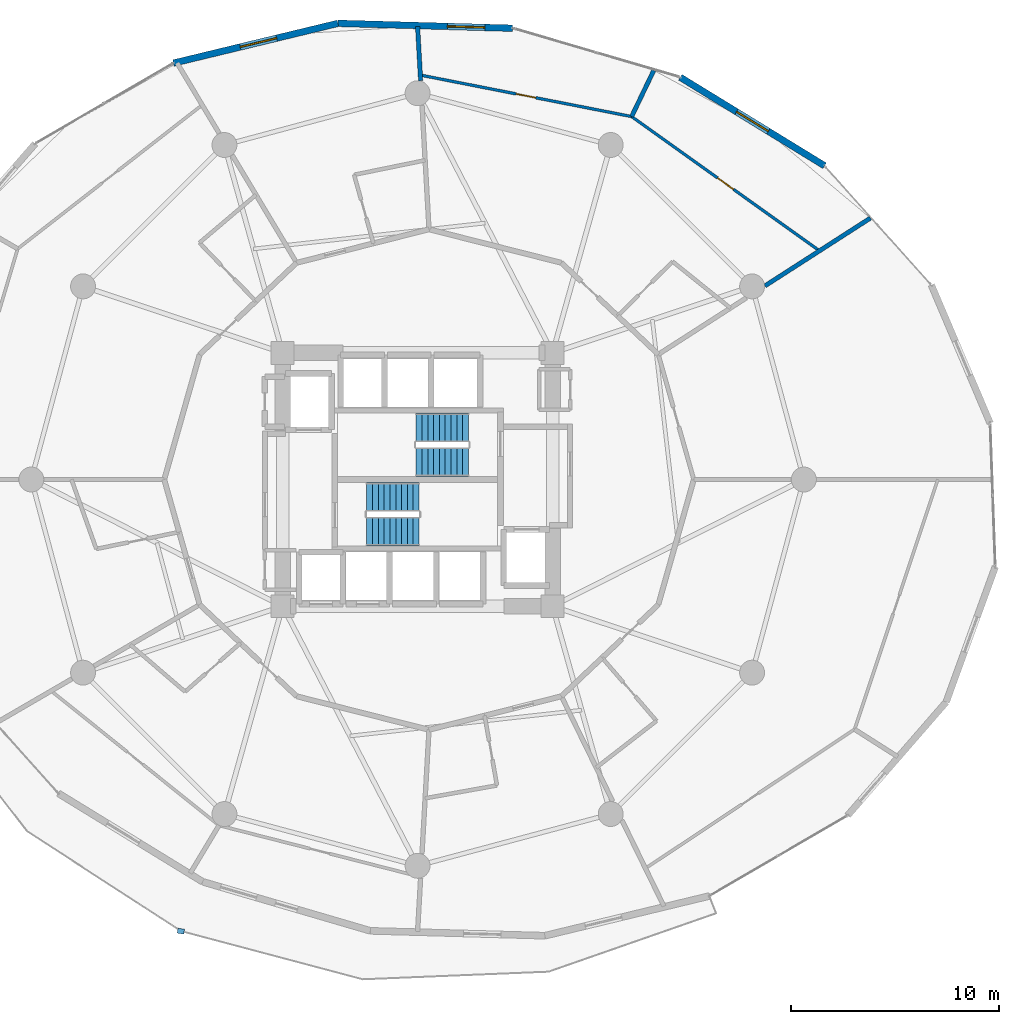
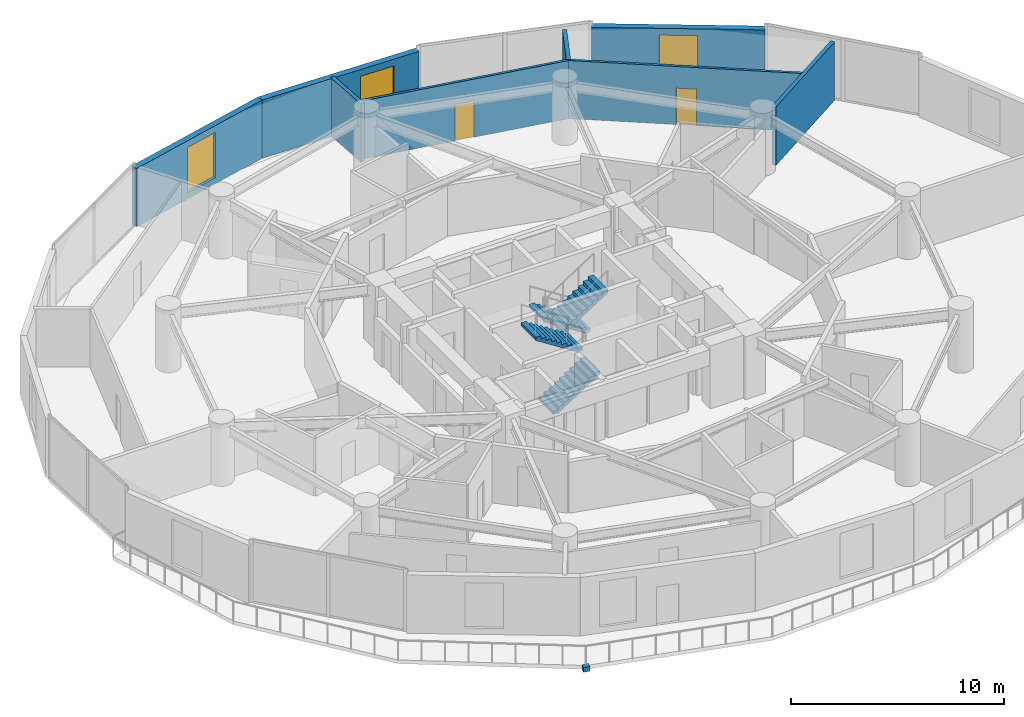
# One storey, part 20 of 23: 8 walls, 4 stair flights, 3 windows, 2 doors, 1 discrete accessory, 5 openings, 2 elements without a shape of their own.
"""IFC4 building model written with IfcOpenShell, lengths in metres."""

from ifc_helpers import new_model, si_unit, direction, frame, frame_2d, origin, origin_2d, place, context, subcontext, project, spatial, polyline, rectangle, outline, extrude, material, layer, layer_set, type_object, element, fill, aggregate, save


model = new_model("IFC4")

# Units and contexts
model_context = context("Model", 3, precision=1e-05, world=origin(), true_north=direction((0.0, 1.0)))
body_context = subcontext(model_context, "Body", "Model", "MODEL_VIEW")
ifc_project = project(units=[si_unit("LENGTHUNIT", "METRE"), si_unit("AREAUNIT", "SQUARE_METRE"), si_unit("VOLUMEUNIT", "CUBIC_METRE"), si_unit("PLANEANGLEUNIT", "RADIAN"), si_unit("MASSUNIT", "GRAM", prefix="KILO")], contexts=[model_context])

# Site, building, storey
site_placement = place(None, origin())
site = spatial("IfcSite", under=ifc_project, at=site_placement, CompositionType="ELEMENT")
building_placement = place(site_placement, origin())
building = spatial("IfcBuilding", under=site, at=building_placement, Name="Solvirekh Grand Hotel", CompositionType="ELEMENT")
storey_placement = place(building_placement, frame((0.0, 0.0, 42.800048828125)))
storey = spatial("IfcBuildingStorey", under=building, at=storey_placement, Name="L09", CompositionType="ELEMENT", Elevation=42.800048828125)

# Wall, opening, window
ifc_material_1 = material(Name="Precast concrete C45/55", Category="concrete")
ifc_layer_1 = layer(ifc_material_1, 0.320068359375)
ifc_layer_set_1 = layer_set([ifc_layer_1], Name="Precast concrete C45/55")
wall_type_1 = type_object("IfcWallType", Name="ExtLobbyWall_RC320", PredefinedType="SOLIDWALL", material=ifc_layer_set_1)
wall_1_placement = place(storey_placement, frame((12.64990234375, 19.367919921875, 0.0), z_axis=(0.0, 0.0, 1.0), x_axis=(0.852610292859, -0.522547307438, 0.0)))
wall_1 = element("IfcWall", 1, at=wall_1_placement, inside=storey, type_object=wall_type_1, Name="L09 exterior structural wall chord 4", PredefinedType="SOLIDWALL", context=body_context, shape_type="SweptSolid", body=[
    extrude(rectangle(XDim=8.150634765625, YDim=0.320068359375, at=frame_2d((4.0751953125, 0.0))), origin(), (0.0, 0.0, 1.0), 3.33984375),
])
opening_1_placement = place(wall_1_placement, frame((3.175048828125, 0.0, 0.35009765625)))
opening_1 = element("IfcOpeningElement", 2, at=opening_1_placement, cuts=wall_1, Name="Opening W02", PredefinedType="OPENING", context=body_context, shape_type="SweptSolid", body=[
    extrude(rectangle(XDim=1.800048828125, YDim=2.60009765625, at=frame_2d((0.89990234375, 1.300048828125))), frame((0.0, 0.169921875, 0.0), z_axis=(0.0, -1.0, 0.0), x_axis=(1.0, 0.0, 0.0)), (0.0, 0.0, 1.0), 0.340087890625),
])
ifc_material_2 = material(Name="Low-E Tinted Bronze Laminated Glass", Category="aluminium")
window_type = type_object("IfcWindowType", Name="Win_LobbyExt_1800X2600", PartitioningType="SINGLE_PANEL", PredefinedType="WINDOW", material=ifc_material_2)
window_1_placement = place(opening_1_placement, origin())
window_1 = element("IfcWindow", 3, at=window_1_placement, inside=storey, type_object=window_type, Name="L09 panoramic bronze-framed window 4", OverallHeight=2.60009765625, OverallWidth=1.800048828125, PartitioningType="SINGLE_PANEL", PredefinedType="WINDOW", context=body_context, shape_type="SweptSolid", body=[
    extrude(rectangle(XDim=1.800048828125, YDim=2.60009765625, at=frame_2d((0.89990234375, 1.300048828125))), frame((0.0, 0.030029296875, 0.0), z_axis=(0.0, -1.0, 0.0), x_axis=(1.0, 0.0, 0.0)), (0.0, 0.0, 1.0), 0.06005859375),
])
fill(opening_1, window_1)

wall_2_placement = place(storey_placement, frame((-3.8330078125, 21.967041015625, 0.0), z_axis=(0.0, 0.0, 1.0), x_axis=(0.999609369541, -0.027948315271, 0.0)))
wall_2 = element("IfcWall", 4, at=wall_2_placement, inside=storey, type_object=wall_type_1, Name="L09 exterior structural wall chord 6", PredefinedType="SOLIDWALL", context=body_context, shape_type="SweptSolid", body=[
    extrude(rectangle(XDim=8.412109375, YDim=0.320068359375, at=frame_2d((4.2060546875, 0.0))), origin(), (0.0, 0.0, 1.0), 3.33984375),
])
opening_2_placement = place(wall_2_placement, frame((5.27392578125, 0.0, 0.35009765625)))
opening_2 = element("IfcOpeningElement", 5, at=opening_2_placement, cuts=wall_2, Name="Opening W02", PredefinedType="OPENING", context=body_context, shape_type="SweptSolid", body=[
    extrude(rectangle(XDim=1.800048828125, YDim=2.60009765625, at=frame_2d((0.89990234375, 1.300048828125))), frame((0.0, 0.169921875, 0.0), z_axis=(0.0, -1.0, 0.0), x_axis=(1.0, 0.0, 0.0)), (0.0, 0.0, 1.0), 0.340087890625),
])
window_2_placement = place(opening_2_placement, origin())
window_2 = element("IfcWindow", 6, at=window_2_placement, inside=storey, type_object=window_type, Name="L09 panoramic bronze-framed window 6", OverallHeight=2.60009765625, OverallWidth=1.800048828125, PartitioningType="SINGLE_PANEL", PredefinedType="WINDOW", context=body_context, shape_type="SweptSolid", body=[
    extrude(rectangle(XDim=1.800048828125, YDim=2.60009765625, at=frame_2d((0.89990234375, 1.300048828125))), frame((0.0, 0.030029296875, 0.0), z_axis=(0.0, -1.0, 0.0), x_axis=(1.0, 0.0, 0.0)), (0.0, 0.0, 1.0), 0.06005859375),
])
fill(opening_2, window_2)

wall_3_placement = place(storey_placement, frame((-11.7548828125, 20.052978515625, 0.0), z_axis=(0.0, 0.0, 1.0), x_axis=(0.97202940664, 0.234859176161, 0.0)))
wall_3 = element("IfcWall", 7, at=wall_3_placement, inside=storey, type_object=wall_type_1, Name="L09 exterior structural wall chord 7", PredefinedType="SOLIDWALL", context=body_context, shape_type="SweptSolid", body=[
    extrude(rectangle(XDim=8.14990234375, YDim=0.320068359375, at=frame_2d((4.074951171875, 0.0))), origin(), (0.0, 0.0, 1.0), 3.33984375),
])
opening_3_placement = place(wall_3_placement, frame((3.31103515625, 0.0, 0.35009765625)))
opening_3 = element("IfcOpeningElement", 8, at=opening_3_placement, cuts=wall_3, Name="Opening W02", PredefinedType="OPENING", context=body_context, shape_type="SweptSolid", body=[
    extrude(rectangle(XDim=1.800048828125, YDim=2.60009765625, at=frame_2d((0.89990234375, 1.300048828125))), frame((0.0, 0.169921875, 0.0), z_axis=(0.0, -1.0, 0.0), x_axis=(1.0, 0.0, 0.0)), (0.0, 0.0, 1.0), 0.340087890625),
])
window_3_placement = place(opening_3_placement, origin())
window_3 = element("IfcWindow", 9, at=window_3_placement, inside=storey, type_object=window_type, Name="L09 panoramic bronze-framed window 7", OverallHeight=2.60009765625, OverallWidth=1.800048828125, PartitioningType="SINGLE_PANEL", PredefinedType="WINDOW", context=body_context, shape_type="SweptSolid", body=[
    extrude(rectangle(XDim=1.800048828125, YDim=2.60009765625, at=frame_2d((0.89990234375, 1.300048828125))), frame((0.0, 0.030029296875, 0.0), z_axis=(0.0, -1.0, 0.0), x_axis=(1.0, 0.0, 0.0)), (0.0, 0.0, 1.0), 0.06005859375),
])
fill(opening_3, window_3)

# Wall, opening, door
ifc_material_3 = material(Name="Acoustic Gypsum Partition Assembly")
ifc_layer_2 = layer(ifc_material_3, 0.135009765625)
ifc_layer_set_2 = layer_set([ifc_layer_2], Name="Acoustic Gypsum Partition Assembly")
wall_type_2 = type_object("IfcWallType", Name="Part_RoomInt_135", PredefinedType="PARTITIONING", material=ifc_layer_set_2)
wall_4_placement = place(storey_placement, frame((19.35400390625, 11.013916015625, 0.0), z_axis=(0.0, 0.0, 1.0), x_axis=(-0.813724569885, 0.581250655367, 0.0)))
wall_4 = element("IfcWall", 10, at=wall_4_placement, inside=storey, type_object=wall_type_2, Name="L09 Executive Suite 1101 Living Room bedroom screen wall", PredefinedType="PARTITIONING", context=body_context, shape_type="SweptSolid", body=[
    extrude(rectangle(XDim=11.119384765625, YDim=0.135009765625, at=frame_2d((5.5595703125, 0.0))), origin(), (0.0, 0.0, 1.0), 3.33984375),
])
opening_4_placement = place(wall_4_placement, frame((5.0849609375, 0.0, 0.0)))
opening_4 = element("IfcOpeningElement", 11, at=opening_4_placement, cuts=wall_4, Name="Opening D10", PredefinedType="OPENING", context=body_context, shape_type="SweptSolid", body=[
    extrude(rectangle(XDim=0.949951171875, YDim=2.10009765625, at=frame_2d((0.47509765625, 1.050048828125))), frame((0.0, 0.07763671875, 0.0), z_axis=(0.0, -1.0, 0.0), x_axis=(1.0, 0.0, 0.0)), (0.0, 0.0, 1.0), 0.155029296875),
])
ifc_material_4 = material(Name="Anodized Bronze Aluminium 6063-T6", Category="aluminium")
door_type = type_object("IfcDoorType", Name="Door_RoomInt_950X2100", OperationType="NOTDEFINED", PredefinedType="DOOR", material=ifc_material_4)
door_1_placement = place(opening_4_placement, origin())
door_1 = element("IfcDoor", 12, at=door_1_placement, inside=storey, type_object=door_type, Name="L09 Executive Suite 1101 Living Room master bedroom door", OperationType="SINGLE_SWING_LEFT", OverallHeight=2.10009765625, OverallWidth=0.949951171875, PredefinedType="DOOR", context=body_context, shape_type="SweptSolid", body=[
    extrude(rectangle(XDim=0.949951171875, YDim=2.10009765625, at=frame_2d((0.47509765625, 1.050048828125))), frame((0.0, 0.02490234375, 0.0), z_axis=(0.0, -1.0, 0.0), x_axis=(1.0, 0.0, 0.0)), (0.0, 0.0, 1.0), 0.050048828125),
])
fill(opening_4, door_1)

wall_5_placement = place(storey_placement, frame((10.305908203125, 17.47705078125, 0.0), z_axis=(0.0, 0.0, 1.0), x_axis=(-0.981255818222, 0.192709675953, 0.0)))
wall_5 = element("IfcWall", 13, at=wall_5_placement, inside=storey, type_object=wall_type_2, Name="L09 Executive Suite 1101 Panorama Suite Study bedroom screen wall", PredefinedType="PARTITIONING", context=body_context, shape_type="SweptSolid", body=[
    extrude(rectangle(XDim=10.3681640625, YDim=0.135009765625, at=frame_2d((5.18408203125, 0.0))), origin(), (0.0, 0.0, 1.0), 3.33984375),
])
opening_5_placement = place(wall_5_placement, frame((4.708984375, 0.0, 0.0)))
opening_5 = element("IfcOpeningElement", 14, at=opening_5_placement, cuts=wall_5, Name="Opening D10", PredefinedType="OPENING", context=body_context, shape_type="SweptSolid", body=[
    extrude(rectangle(XDim=0.949951171875, YDim=2.10009765625, at=frame_2d((0.47509765625, 1.050048828125))), frame((0.0, 0.07763671875, 0.0), z_axis=(0.0, -1.0, 0.0), x_axis=(1.0, 0.0, 0.0)), (0.0, 0.0, 1.0), 0.155029296875),
])
door_2_placement = place(opening_5_placement, origin())
door_2 = element("IfcDoor", 15, at=door_2_placement, inside=storey, type_object=door_type, Name="L09 Executive Suite 1101 Panorama Suite Study master bedroom door", OperationType="SINGLE_SWING_RIGHT", OverallHeight=2.10009765625, OverallWidth=0.949951171875, PredefinedType="DOOR", context=body_context, shape_type="SweptSolid", body=[
    extrude(rectangle(XDim=0.949951171875, YDim=2.10009765625, at=frame_2d((0.47509765625, 1.050048828125))), frame((0.0, 0.02490234375, 0.0), z_axis=(0.0, -1.0, 0.0), x_axis=(1.0, 0.0, 0.0)), (0.0, 0.0, 1.0), 0.050048828125),
])
fill(opening_5, door_2)

# Walls
ifc_layer_3 = layer(ifc_material_3, 0.2099609375)
ifc_layer_set_3 = layer_set([ifc_layer_3], Name="Acoustic Gypsum Partition Assembly")
wall_type_3 = type_object("IfcWallType", Name="Part_SuiteDemise_210", PredefinedType="PARTITIONING", material=ifc_layer_set_3)
wall_6_placement = place(storey_placement, frame((16.72705078125, 9.325927734375, 0.0), z_axis=(0.0, 0.0, 1.0), x_axis=(0.84126651409, 0.54062061769, 0.0)))
element("IfcWall", 16, at=wall_6_placement, inside=storey, type_object=wall_type_3, Name="L09 suite radial wall 2 (B)", PredefinedType="PARTITIONING", context=body_context, shape_type="SweptSolid", body=[
    extrude(rectangle(XDim=6.035888671875, YDim=0.2099609375, at=frame_2d((3.01806640625, 0.0))), origin(), (0.0, 0.0, 1.0), 3.33984375),
])
wall_7_placement = place(storey_placement, frame((0.14697265625, 19.201904296875, 0.0), z_axis=(0.0, 0.0, 1.0), x_axis=(-0.056047530515, 0.99842810173, 0.0)))
element("IfcWall", 17, at=wall_7_placement, inside=storey, type_object=wall_type_3, Name="L09 suite radial wall 4 (B)", PredefinedType="PARTITIONING", context=body_context, shape_type="SweptSolid", body=[
    extrude(rectangle(XDim=2.622314453125, YDim=0.2099609375, at=frame_2d((1.31103515625, 0.0))), origin(), (0.0, 0.0, 1.0), 3.33984375),
])
wall_8_placement = place(storey_placement, frame((10.305908203125, 17.47705078125, 0.0), z_axis=(0.0, 0.0, 1.0), x_axis=(0.43294660359, 0.901419568481, 0.0)))
element("IfcWall", 18, at=wall_8_placement, inside=storey, type_object=wall_type_3, Name="L09 Executive Suite 1101 Living Room dividing partition 1", PredefinedType="PARTITIONING", context=body_context, shape_type="SweptSolid", body=[
    extrude(rectangle(XDim=2.467041015625, YDim=0.2099609375, at=frame_2d((1.2333984375, 0.0))), origin(), (0.0, 0.0, 1.0), 3.33984375),
])

# Stair, stair flights
ifc_material_5 = material(Name="Concrete C40/50", Category="concrete")
stair_type = type_object("IfcStairType", Name="Stair_Core_1450", PredefinedType="HALF_TURN_STAIR", material=ifc_material_5)
stair_1_placement = place(storey_placement, origin())
stair_1 = element("IfcStair", 19, at=stair_1_placement, inside=storey, type_object=stair_type, Name="L09 Enclosed exit stair ST-1", PredefinedType="HALF_TURN_STAIR")
stair_flight_type = type_object("IfcStairFlightType", Name="Flight_Core_1450", PredefinedType="STRAIGHT", material=ifc_material_5)
stair_flight_1_placement = place(storey_placement, frame((-2.449951171875, -2.5, 0.0), z_axis=(0.0, 0.0, 1.0), x_axis=(1.0, 0.0, 0.0)))
stair_flight_1 = element("IfcStairFlight", 20, at=stair_flight_1_placement, type_object=stair_flight_type, Name="ST-1 flight 1", NumberOfRisers=10, NumberOfTreads=9, PredefinedType="STRAIGHT", RiserHeight=0.18, TreadLength=0.28, context=body_context, shape_type="SweptSolid", body=[
    extrude(outline(polyline([(0.0, 0.0), (0.0, 0.179931640625), (0.280029296875, 0.179931640625), (0.280029296875, 0.360107421875), (0.56005859375, 0.360107421875), (0.56005859375, 0.5400390625), (0.840087890625, 0.5400390625), (0.840087890625, 0.719970703125), (1.1201171875, 0.719970703125), (1.1201171875, 0.89990234375), (1.39990234375, 0.89990234375), (1.39990234375, 1.080078125), (1.679931640625, 1.080078125), (1.679931640625, 1.260009765625), (1.9599609375, 1.260009765625), (1.9599609375, 1.43994140625), (2.239990234375, 1.43994140625), (2.239990234375, 1.6201171875), (2.52001953125, 1.6201171875), (2.52001953125, 1.800048828125), (2.52001953125, 1.44189453125), (0.277099609375, 0.0), (0.0, 0.0)])), frame((0.0, 0.699951171875, 0.0), z_axis=(0.0, -1.0, 0.0), x_axis=(1.0, 0.0, 0.0)), (0.0, 0.0, 1.0), 1.39990234375),
])
stair_flight_2_placement = place(storey_placement, frame((0.070068359375, -0.85009765625, 1.800048828125), z_axis=(0.0, 0.0, 1.0), x_axis=(-1.0, 0.0, 0.0)))
stair_flight_2 = element("IfcStairFlight", 21, at=stair_flight_2_placement, type_object=stair_flight_type, Name="ST-1 flight 2", NumberOfRisers=10, NumberOfTreads=9, PredefinedType="STRAIGHT", RiserHeight=0.18, TreadLength=0.28, context=body_context, shape_type="SweptSolid", body=[
    extrude(outline(polyline([(0.0, 0.0), (0.0, 0.179931640625), (0.280029296875, 0.179931640625), (0.280029296875, 0.360107421875), (0.56005859375, 0.360107421875), (0.56005859375, 0.5400390625), (0.840087890625, 0.5400390625), (0.840087890625, 0.719970703125), (1.1201171875, 0.719970703125), (1.1201171875, 0.89990234375), (1.39990234375, 0.89990234375), (1.39990234375, 1.080078125), (1.679931640625, 1.080078125), (1.679931640625, 1.260009765625), (1.9599609375, 1.260009765625), (1.9599609375, 1.43994140625), (2.239990234375, 1.43994140625), (2.239990234375, 1.6201171875), (2.52001953125, 1.6201171875), (2.52001953125, 1.800048828125), (2.52001953125, 1.44189453125), (0.277099609375, 0.0), (0.0, 0.0)])), frame((0.0, 0.699951171875, 0.0), z_axis=(0.0, -1.0, 0.0), x_axis=(1.0, 0.0, 0.0)), (0.0, 0.0, 1.0), 1.39990234375),
])
aggregate(stair_1, [stair_flight_1, stair_flight_2])

stair_2_placement = place(storey_placement, origin())
stair_2 = element("IfcStair", 22, at=stair_2_placement, inside=storey, type_object=stair_type, Name="L09 Enclosed exit stair ST-2", PredefinedType="HALF_TURN_STAIR")
stair_flight_3_placement = place(storey_placement, frame((2.449951171875, 2.5, 0.0), z_axis=(0.0, 0.0, 1.0), x_axis=(-1.0, 0.0, 0.0)))
stair_flight_3 = element("IfcStairFlight", 23, at=stair_flight_3_placement, type_object=stair_flight_type, Name="ST-2 flight 1", NumberOfRisers=10, NumberOfTreads=9, PredefinedType="STRAIGHT", RiserHeight=0.18, TreadLength=0.28, context=body_context, shape_type="SweptSolid", body=[
    extrude(outline(polyline([(0.0, 0.0), (0.0, 0.179931640625), (0.280029296875, 0.179931640625), (0.280029296875, 0.360107421875), (0.56005859375, 0.360107421875), (0.56005859375, 0.5400390625), (0.840087890625, 0.5400390625), (0.840087890625, 0.719970703125), (1.1201171875, 0.719970703125), (1.1201171875, 0.89990234375), (1.39990234375, 0.89990234375), (1.39990234375, 1.080078125), (1.679931640625, 1.080078125), (1.679931640625, 1.260009765625), (1.9599609375, 1.260009765625), (1.9599609375, 1.43994140625), (2.239990234375, 1.43994140625), (2.239990234375, 1.6201171875), (2.52001953125, 1.6201171875), (2.52001953125, 1.800048828125), (2.52001953125, 1.44189453125), (0.277099609375, 0.0), (0.0, 0.0)])), frame((0.0, 0.699951171875, 0.0), z_axis=(0.0, -1.0, 0.0), x_axis=(1.0, 0.0, 0.0)), (0.0, 0.0, 1.0), 1.39990234375),
])
stair_flight_4_placement = place(storey_placement, frame((-0.070068359375, 0.85009765625, 1.800048828125), z_axis=(0.0, 0.0, 1.0), x_axis=(1.0, 0.0, 0.0)))
stair_flight_4 = element("IfcStairFlight", 24, at=stair_flight_4_placement, type_object=stair_flight_type, Name="ST-2 flight 2", NumberOfRisers=10, NumberOfTreads=9, PredefinedType="STRAIGHT", RiserHeight=0.18, TreadLength=0.28, context=body_context, shape_type="SweptSolid", body=[
    extrude(outline(polyline([(0.0, 0.0), (0.0, 0.179931640625), (0.280029296875, 0.179931640625), (0.280029296875, 0.360107421875), (0.56005859375, 0.360107421875), (0.56005859375, 0.5400390625), (0.840087890625, 0.5400390625), (0.840087890625, 0.719970703125), (1.1201171875, 0.719970703125), (1.1201171875, 0.89990234375), (1.39990234375, 0.89990234375), (1.39990234375, 1.080078125), (1.679931640625, 1.080078125), (1.679931640625, 1.260009765625), (1.9599609375, 1.260009765625), (1.9599609375, 1.43994140625), (2.239990234375, 1.43994140625), (2.239990234375, 1.6201171875), (2.52001953125, 1.6201171875), (2.52001953125, 1.800048828125), (2.52001953125, 1.44189453125), (0.277099609375, 0.0), (0.0, 0.0)])), frame((0.0, 0.699951171875, 0.0), z_axis=(0.0, -1.0, 0.0), x_axis=(1.0, 0.0, 0.0)), (0.0, 0.0, 1.0), 1.39990234375),
])
aggregate(stair_2, [stair_flight_3, stair_flight_4])

# Discrete accessory
ifc_material_6 = material(Name="Steel S355", Category="steel")
discrete_accessory_type = type_object("IfcDiscreteAccessoryType", Name="Acc_ThermalBracket", PredefinedType="BRACKET", material=ifc_material_6)
discrete_accessory_placement = place(storey_placement, frame((-11.39892578125, -21.748046875, -0.2802734375), z_axis=(0.0, 0.0, 1.0), x_axis=(0.987688340595, -0.15643446504, 0.0)))
element("IfcDiscreteAccessory", 25, at=discrete_accessory_placement, inside=storey, type_object=discrete_accessory_type, Name="L09 balcony thermal-break bracket", PredefinedType="BRACKET", context=body_context, shape_type="SweptSolid", body=[
    extrude(rectangle(XDim=0.320068359375, YDim=0.239990234375, at=origin_2d()), origin(), (0.0, 0.0, 1.0), 0.280029296875),
])

save(model, "model.ifc")
